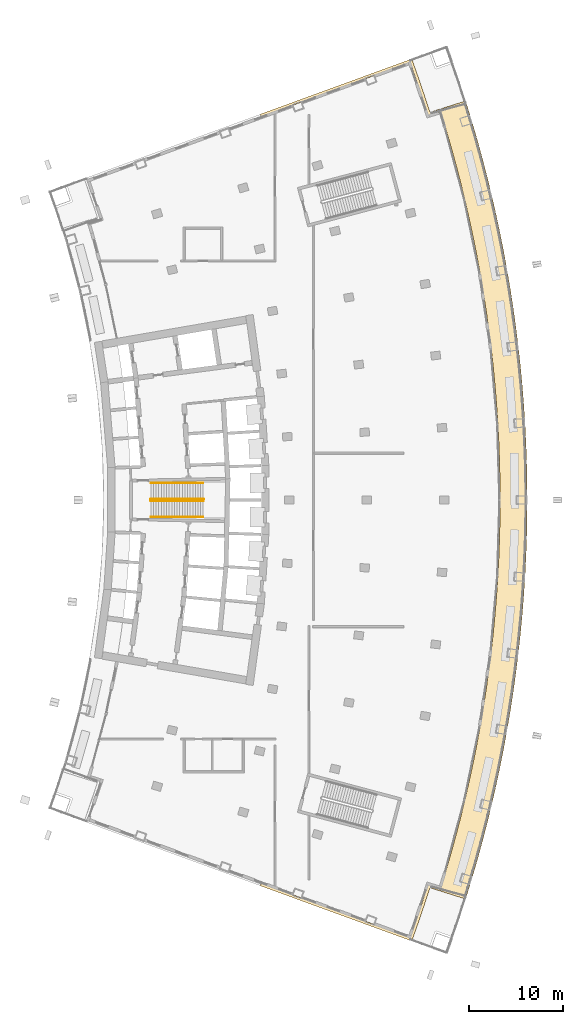
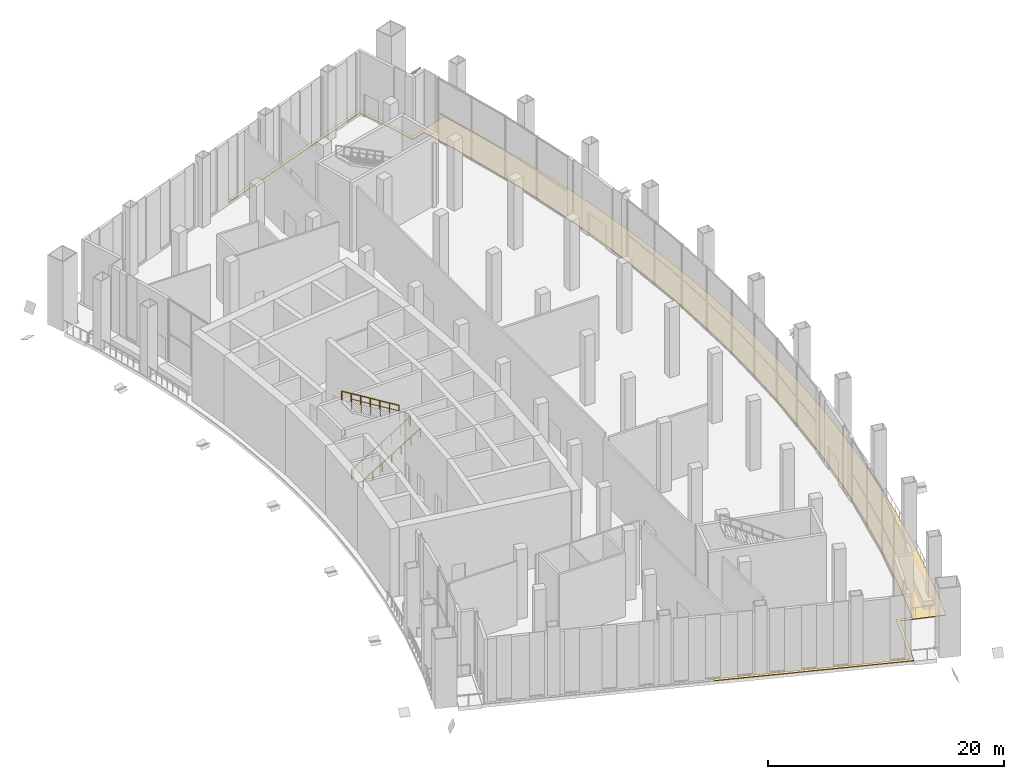
# One storey, part 15 of 18: 3 railings, 1 covering.
"""IFC4 building model written with IfcOpenShell, lengths in metres."""

from ifc_helpers import new_model, si_unit, direction, frame, origin, origin_with_axes, origin_2d, place, context, subcontext, project, spatial, polyline, rectangle, outline, extrude, material, layer, layer_set, type_object, element, save


model = new_model("IFC4")

# Units and contexts
model_context = context("Model", 3, precision=1e-05, world=origin(), true_north=direction((0.0, 1.0)))
body_context = subcontext(model_context, "Body", "Model", "MODEL_VIEW")
ifc_project = project(units=[si_unit("LENGTHUNIT", "METRE"), si_unit("AREAUNIT", "SQUARE_METRE"), si_unit("VOLUMEUNIT", "CUBIC_METRE"), si_unit("PLANEANGLEUNIT", "RADIAN"), si_unit("MASSUNIT", "GRAM", prefix="KILO")], contexts=[model_context])

# Site, building, storey
site_placement = place(None, origin())
site = spatial("IfcSite", under=ifc_project, at=site_placement, CompositionType="ELEMENT")
building_placement = place(site_placement, origin())
building = spatial("IfcBuilding", under=site, at=building_placement, Name="Alderwake Tower", CompositionType="ELEMENT")
storey_placement = place(building_placement, frame((0.0, 0.0, 125.60009765625)))
storey = spatial("IfcBuildingStorey", under=building, at=storey_placement, Name="L31", CompositionType="ELEMENT", Elevation=125.60009765625)

# Covering
ifc_material_1 = material(Name="Bronze-grey porcelain paving on pedestals")
ifc_layer = layer(ifc_material_1, 0.06005859375)
ifc_layer_set = layer_set([ifc_layer], Name="Garden terrace paving 60")
covering_type = type_object("IfcCoveringType", Name="Garden terrace paving 60", PredefinedType="FLOORING", material=ifc_layer_set)
covering_placement = place(storey_placement, origin())
element("IfcCovering", 1, at=covering_placement, inside=storey, type_object=covering_type, Name="Garden terrace paving front", PredefinedType="FLOORING", context=body_context, shape_type="SweptSolid", body=[
    extrude(outline(polyline([(48.8818359375, 108.045654296875), (32.724609375, 102.147705078125), (32.724609375, 102.147705078125), (32.825439453125, 101.865234375), (48.700927734375, 107.66015625), (49.27099609375, 106.0625), (49.914306640625, 104.17236328125), (50.622802734375, 101.98779296875), (51.953369140625, 102.40869140625), (52.458984375, 100.76806640625), (53.02490234375, 98.832275390625), (53.5625, 96.88818359375), (54.071533203125, 94.936767578125), (54.55224609375, 92.97802734375), (55.004150390625, 91.012451171875), (55.427490234375, 89.04052734375), (55.822021484375, 87.0625), (56.187744140625, 85.0791015625), (56.5244140625, 83.090576171875), (56.83203125, 81.097412109375), (57.110595703125, 79.099853515625), (57.35986328125, 77.098388671875), (57.580078125, 75.093505859375), (57.77099609375, 73.085693359375), (57.9326171875, 71.075439453125), (58.064697265625, 69.06298828125), (58.167724609375, 67.048583984375), (58.2412109375, 65.033203125), (58.285400390625, 63.016845703125), (58.300048828125, 61.0), (58.285400390625, 58.983154296875), (58.2412109375, 56.966796875), (58.167724609375, 54.951416015625), (58.064697265625, 52.93701171875), (57.9326171875, 50.924560546875), (57.77099609375, 48.914306640625), (57.580078125, 46.906494140625), (57.35986328125, 44.901611328125), (57.110595703125, 42.900146484375), (56.83203125, 40.902587890625), (56.5244140625, 38.909423828125), (56.187744140625, 36.9208984375), (55.822021484375, 34.9375), (55.427490234375, 32.95947265625), (55.004150390625, 30.987548828125), (54.55224609375, 29.02197265625), (54.071533203125, 27.063232421875), (53.5625, 25.11181640625), (53.02490234375, 23.167724609375), (52.458984375, 21.23193359375), (51.953369140625, 19.59130859375), (50.622802734375, 20.01220703125), (49.914306640625, 17.82763671875), (49.27099609375, 15.9375), (48.700927734375, 14.33984375), (32.825439453125, 20.134765625), (32.724609375, 19.852294921875), (32.724609375, 19.852294921875), (52.639404296875, 12.582763671875), (48.8818359375, 13.954345703125), (49.55419921875, 15.8388671875), (50.19921875, 17.73291015625), (50.816162109375, 19.63623046875), (54.630126953125, 18.430419921875), (55.236572265625, 20.398193359375), (55.814208984375, 22.37451171875), (56.363037109375, 24.359130859375), (56.8828125, 26.351806640625), (57.37353515625, 28.3515625), (57.835205078125, 30.358154296875), (58.267333984375, 32.37158203125), (58.670166015625, 34.390869140625), (59.04345703125, 36.416015625), (59.38720703125, 38.4462890625), (59.701171875, 40.481201171875), (59.985595703125, 42.520751953125), (60.239990234375, 44.56396484375), (60.46484375, 46.61083984375), (60.659912109375, 48.660888671875), (60.82470703125, 50.71337890625), (60.959716796875, 52.76806640625), (61.06494140625, 54.824462890625), (61.139892578125, 56.88232421875), (61.18505859375, 58.94091796875), (61.199951171875, 61.0), (61.18505859375, 63.05908203125), (61.139892578125, 65.11767578125), (61.06494140625, 67.175537109375), (60.959716796875, 69.23193359375), (60.82470703125, 71.28662109375), (60.659912109375, 73.339111328125), (60.46484375, 75.38916015625), (60.239990234375, 77.43603515625), (59.985595703125, 79.479248046875), (59.701171875, 81.518798828125), (59.38720703125, 83.5537109375), (59.04345703125, 85.583984375), (58.670166015625, 87.609130859375), (58.267333984375, 89.62841796875), (57.835205078125, 91.641845703125), (57.37353515625, 93.6484375), (56.8828125, 95.648193359375), (56.363037109375, 97.640869140625), (55.814208984375, 99.62548828125), (55.236572265625, 101.601806640625), (54.630126953125, 103.569580078125), (50.816162109375, 102.36376953125), (50.19921875, 104.26708984375), (49.55419921875, 106.1611328125), (48.8818359375, 108.045654296875)])), origin(), (0.0, 0.0, 1.0), 0.059814453125),
])

# Railings
ifc_material_2 = material(Name="Stainless steel guard", Category="steel")
railing_type_1 = type_object("IfcRailingType", Name="Stair guard 1100", PredefinedType="GUARDRAIL", material=ifc_material_2)
railing_1_placement = place(storey_placement, frame((20.989990234375, 60.925048828125, 0.0)))
element("IfcRailing", 2, at=railing_1_placement, inside=storey, type_object=railing_type_1, Name="L31 ST-B stair guard 1", PredefinedType="GUARDRAIL", context=body_context, shape_type="SweptSolid", body=[
    extrude(rectangle(XDim=0.048095703125, YDim=0.048095703125, at=origin_2d()), frame((0.0, 0.0, 1.076171875), z_axis=(0.0, 1.0, 0.0), x_axis=(-1.0, 0.0, 0.0)), (0.0, 0.0, 1.0), 0.14990234375),
    extrude(rectangle(XDim=0.048095703125, YDim=0.048095703125, at=origin_2d()), frame((0.0, 0.14990234375, 1.076171875), z_axis=(0.186704180588, -0.74590597025, 0.6393479745), x_axis=(0.970072785993, 0.242814311512, 0.0)), (0.0, 0.0, 1.0), 0.26806640625),
    extrude(rectangle(XDim=0.048095703125, YDim=0.048095703125, at=origin_2d()), frame((0.050048828125, -0.050048828125, 1.24755859375), z_axis=(0.852852317832, 0.0, 0.522152203833), x_axis=(0.0, 1.0, 0.0)), (0.0, 0.0, 1.0), 6.56591796875),
    extrude(rectangle(XDim=0.048095703125, YDim=0.048095703125, at=origin_2d()), frame((5.64990234375, -0.050048828125, 4.67578125), z_axis=(0.707106781187, 0.707106781187, 0.0), x_axis=(-0.707106781187, 0.707106781187, 0.0)), (0.0, 0.0, 1.0), 0.07080078125),
    extrude(rectangle(XDim=0.048095703125, YDim=0.048095703125, at=origin_2d()), frame((5.699951171875, 0.0, 4.67578125), z_axis=(0.0, 1.0, 0.0), x_axis=(-1.0, 0.0, 0.0)), (0.0, 0.0, 1.0), 0.14990234375),
    extrude(rectangle(XDim=0.048095703125, YDim=0.048095703125, at=origin_2d()), frame((5.699951171875, 0.14990234375, 4.67578125), z_axis=(-0.269911200495, 0.269911200495, 0.924281281696), x_axis=(-0.707106781187, -0.707106781187, 0.0)), (0.0, 0.0, 1.0), 0.185546875),
    extrude(rectangle(XDim=0.048095703125, YDim=0.048095703125, at=origin_2d()), frame((5.64990234375, 0.199951171875, 4.84716796875), z_axis=(-0.852835759714, 0.0, 0.522179247915), x_axis=(0.0, -1.0, 0.0)), (0.0, 0.0, 1.0), 6.566162109375),
    extrude(rectangle(XDim=0.0419921875, YDim=0.0419921875, at=origin_2d()), frame((0.0, 0.0, 0.0), z_axis=(0.0, 0.0, 1.0), x_axis=(0.0, 1.0, 0.0)), (0.0, 0.0, 1.0), 1.052001953125),
    extrude(rectangle(XDim=0.0419921875, YDim=0.0419921875, at=origin_2d()), frame((0.0, 0.14990234375, 0.0), z_axis=(0.0, 0.0, 1.0), x_axis=(0.242814311512, -0.970072785993, 0.0)), (0.0, 0.0, 1.0), 1.052001953125),
    extrude(rectangle(XDim=0.0419921875, YDim=0.0419921875, at=origin_2d()), frame((0.050048828125, -0.050048828125, 0.17138671875), z_axis=(0.0, 0.0, 1.0), x_axis=(1.0, 0.0, 0.0)), (0.0, 0.0, 1.0), 1.052001953125),
    extrude(rectangle(XDim=0.0419921875, YDim=0.0419921875, at=origin_2d()), frame((0.9833984375, -0.050048828125, 0.74267578125), z_axis=(0.0, 0.0, 1.0), x_axis=(1.0, 0.0, 0.0)), (0.0, 0.0, 1.0), 1.052001953125),
    extrude(rectangle(XDim=0.0419921875, YDim=0.0419921875, at=origin_2d()), frame((1.916748046875, -0.050048828125, 1.314208984375), z_axis=(0.0, 0.0, 1.0), x_axis=(1.0, 0.0, 0.0)), (0.0, 0.0, 1.0), 1.052001953125),
    extrude(rectangle(XDim=0.0419921875, YDim=0.0419921875, at=origin_2d()), frame((2.85009765625, -0.050048828125, 1.8857421875), z_axis=(0.0, 0.0, 1.0), x_axis=(1.0, 0.0, 0.0)), (0.0, 0.0, 1.0), 1.052001953125),
    extrude(rectangle(XDim=0.0419921875, YDim=0.0419921875, at=origin_2d()), frame((3.783203125, -0.050048828125, 2.45703125), z_axis=(0.0, 0.0, 1.0), x_axis=(1.0, 0.0, 0.0)), (0.0, 0.0, 1.0), 1.052001953125),
    extrude(rectangle(XDim=0.0419921875, YDim=0.0419921875, at=origin_2d()), frame((4.716552734375, -0.050048828125, 3.0283203125), z_axis=(0.0, 0.0, 1.0), x_axis=(1.0, 0.0, 0.0)), (0.0, 0.0, 1.0), 1.052001953125),
    extrude(rectangle(XDim=0.0419921875, YDim=0.0419921875, at=origin_2d()), frame((5.64990234375, -0.050048828125, 3.599853515625), z_axis=(0.0, 0.0, 1.0), x_axis=(0.707106781187, 0.707106781187, 0.0)), (0.0, 0.0, 1.0), 1.052001953125),
    extrude(rectangle(XDim=0.0419921875, YDim=0.0419921875, at=origin_2d()), frame((5.699951171875, 0.0, 3.599853515625), z_axis=(0.0, 0.0, 1.0), x_axis=(0.0, 1.0, 0.0)), (0.0, 0.0, 1.0), 1.052001953125),
    extrude(rectangle(XDim=0.0419921875, YDim=0.0419921875, at=origin_2d()), frame((5.699951171875, 0.14990234375, 3.599853515625), z_axis=(0.0, 0.0, 1.0), x_axis=(-0.707106781187, 0.707106781187, 0.0)), (0.0, 0.0, 1.0), 1.052001953125),
    extrude(rectangle(XDim=0.0419921875, YDim=0.0419921875, at=origin_2d()), frame((5.64990234375, 0.199951171875, 3.771240234375), z_axis=(0.0, 0.0, 1.0), x_axis=(-1.0, 0.0, 0.0)), (0.0, 0.0, 1.0), 1.052001953125),
    extrude(rectangle(XDim=0.0419921875, YDim=0.0419921875, at=origin_2d()), frame((4.716552734375, 0.199951171875, 4.3427734375), z_axis=(0.0, 0.0, 1.0), x_axis=(-1.0, 0.0, 0.0)), (0.0, 0.0, 1.0), 1.052001953125),
    extrude(rectangle(XDim=0.0419921875, YDim=0.0419921875, at=origin_2d()), frame((3.783203125, 0.199951171875, 4.9140625), z_axis=(0.0, 0.0, 1.0), x_axis=(-1.0, 0.0, 0.0)), (0.0, 0.0, 1.0), 1.052001953125),
    extrude(rectangle(XDim=0.0419921875, YDim=0.0419921875, at=origin_2d()), frame((2.85009765625, 0.199951171875, 5.485595703125), z_axis=(0.0, 0.0, 1.0), x_axis=(-1.0, 0.0, 0.0)), (0.0, 0.0, 1.0), 1.052001953125),
    extrude(rectangle(XDim=0.0419921875, YDim=0.0419921875, at=origin_2d()), frame((1.916748046875, 0.199951171875, 6.05712890625), z_axis=(0.0, 0.0, 1.0), x_axis=(-1.0, 0.0, 0.0)), (0.0, 0.0, 1.0), 1.052001953125),
    extrude(rectangle(XDim=0.0419921875, YDim=0.0419921875, at=origin_2d()), frame((0.9833984375, 0.199951171875, 6.62841796875), z_axis=(0.0, 0.0, 1.0), x_axis=(-1.0, 0.0, 0.0)), (0.0, 0.0, 1.0), 1.052001953125),
    extrude(rectangle(XDim=0.0419921875, YDim=0.0419921875, at=origin_2d()), frame((0.050048828125, 0.199951171875, 7.199951171875), z_axis=(0.0, 0.0, 1.0), x_axis=(-1.0, 0.0, 0.0)), (0.0, 0.0, 1.0), 1.052001953125),
])
ifc_material_3 = material(Name="Stainless steel handrail", Category="steel")
railing_type_2 = type_object("IfcRailingType", Name="Stair handrail 900", PredefinedType="HANDRAIL", material=ifc_material_3)
railing_2_placement = place(storey_placement, frame((21.0400390625, 59.175048828125, 0.17138671875)))
element("IfcRailing", 3, at=railing_2_placement, inside=storey, type_object=railing_type_2, Name="L31 ST-B stair handrail 1", PredefinedType="HANDRAIL", context=body_context, shape_type="SweptSolid", body=[
    extrude(rectangle(XDim=0.048095703125, YDim=0.048095703125, at=origin_2d()), frame((0.0, 0.0, 0.8759765625), z_axis=(0.852852317832, 0.0, 0.522152203833), x_axis=(0.0, 1.0, 0.0)), (0.0, 0.0, 1.0), 6.56591796875),
    extrude(rectangle(XDim=0.0419921875, YDim=0.0419921875, at=origin_2d()), origin_with_axes(), (0.0, 0.0, 1.0), 0.851806640625),
    extrude(rectangle(XDim=0.0419921875, YDim=0.0419921875, at=origin_2d()), frame((0.933349609375, 0.0, 0.5712890625), z_axis=(0.0, 0.0, 1.0), x_axis=(1.0, 0.0, 0.0)), (0.0, 0.0, 1.0), 0.851806640625),
    extrude(rectangle(XDim=0.0419921875, YDim=0.0419921875, at=origin_2d()), frame((1.86669921875, 0.0, 1.142822265625), z_axis=(0.0, 0.0, 1.0), x_axis=(1.0, 0.0, 0.0)), (0.0, 0.0, 1.0), 0.851806640625),
    extrude(rectangle(XDim=0.0419921875, YDim=0.0419921875, at=origin_2d()), frame((2.7998046875, 0.0, 1.71435546875), z_axis=(0.0, 0.0, 1.0), x_axis=(1.0, 0.0, 0.0)), (0.0, 0.0, 1.0), 0.851806640625),
    extrude(rectangle(XDim=0.0419921875, YDim=0.0419921875, at=origin_2d()), frame((3.733154296875, 0.0, 2.28564453125), z_axis=(0.0, 0.0, 1.0), x_axis=(1.0, 0.0, 0.0)), (0.0, 0.0, 1.0), 0.851806640625),
    extrude(rectangle(XDim=0.0419921875, YDim=0.0419921875, at=origin_2d()), frame((4.66650390625, 0.0, 2.85693359375), z_axis=(0.0, 0.0, 1.0), x_axis=(1.0, 0.0, 0.0)), (0.0, 0.0, 1.0), 0.851806640625),
    extrude(rectangle(XDim=0.0419921875, YDim=0.0419921875, at=origin_2d()), frame((5.599853515625, 0.0, 3.428466796875), z_axis=(0.0, 0.0, 1.0), x_axis=(1.0, 0.0, 0.0)), (0.0, 0.0, 1.0), 0.851806640625),
])
railing_3_placement = place(storey_placement, frame((26.639892578125, 62.824951171875, 3.771240234375)))
element("IfcRailing", 4, at=railing_3_placement, inside=storey, type_object=railing_type_2, Name="L31 ST-B stair handrail 2", PredefinedType="HANDRAIL", context=body_context, shape_type="SweptSolid", body=[
    extrude(rectangle(XDim=0.048095703125, YDim=0.048095703125, at=origin_2d()), frame((0.0, 0.0, 0.8759765625), z_axis=(-0.852835759714, 0.0, 0.522179247915), x_axis=(0.0, -1.0, 0.0)), (0.0, 0.0, 1.0), 6.566162109375),
    extrude(rectangle(XDim=0.0419921875, YDim=0.0419921875, at=origin_2d()), frame((0.0, 0.0, 0.0), z_axis=(0.0, 0.0, 1.0), x_axis=(-1.0, 0.0, 0.0)), (0.0, 0.0, 1.0), 0.851806640625),
    extrude(rectangle(XDim=0.0419921875, YDim=0.0419921875, at=origin_2d()), frame((-0.933349609375, 0.0, 0.571533203125), z_axis=(0.0, 0.0, 1.0), x_axis=(-1.0, 0.0, 0.0)), (0.0, 0.0, 1.0), 0.851806640625),
    extrude(rectangle(XDim=0.0419921875, YDim=0.0419921875, at=origin_2d()), frame((-1.86669921875, 0.0, 1.142822265625), z_axis=(0.0, 0.0, 1.0), x_axis=(-1.0, 0.0, 0.0)), (0.0, 0.0, 1.0), 0.851806640625),
    extrude(rectangle(XDim=0.0419921875, YDim=0.0419921875, at=origin_2d()), frame((-2.7998046875, 0.0, 1.71435546875), z_axis=(0.0, 0.0, 1.0), x_axis=(-1.0, 0.0, 0.0)), (0.0, 0.0, 1.0), 0.851806640625),
    extrude(rectangle(XDim=0.0419921875, YDim=0.0419921875, at=origin_2d()), frame((-3.733154296875, 0.0, 2.285888671875), z_axis=(0.0, 0.0, 1.0), x_axis=(-1.0, 0.0, 0.0)), (0.0, 0.0, 1.0), 0.851806640625),
    extrude(rectangle(XDim=0.0419921875, YDim=0.0419921875, at=origin_2d()), frame((-4.66650390625, 0.0, 2.857177734375), z_axis=(0.0, 0.0, 1.0), x_axis=(-1.0, 0.0, 0.0)), (0.0, 0.0, 1.0), 0.851806640625),
    extrude(rectangle(XDim=0.0419921875, YDim=0.0419921875, at=origin_2d()), frame((-5.599853515625, 0.0, 3.4287109375), z_axis=(0.0, 0.0, 1.0), x_axis=(-1.0, 0.0, 0.0)), (0.0, 0.0, 1.0), 0.851806640625),
])

save(model, "model.ifc")
